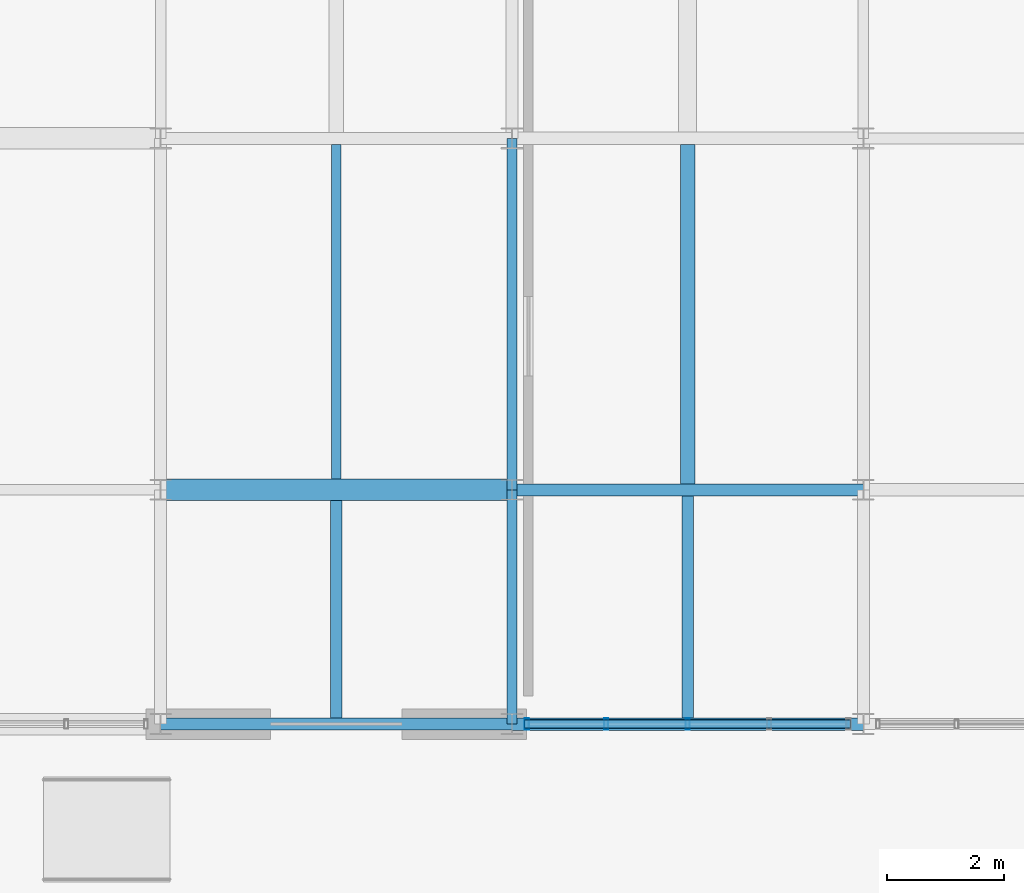
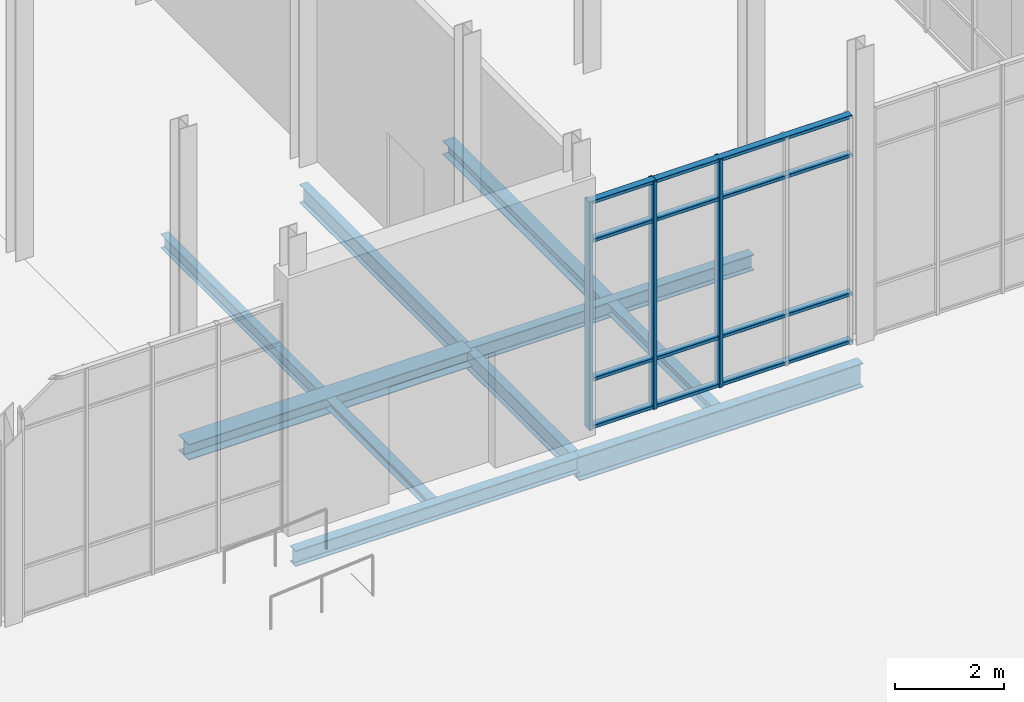
# One storey, part 75 of 140: 10 beams, 7 members, 1 element without a shape of its own.
"""IFC4 building model written with IfcOpenShell, lengths in metres."""

import ifcopenshell
import ifcopenshell.guid

model = None  # the IFC model being written
_history = None  # IfcOwnerHistory: only IFC2X3 demands one
_inside = {}  # id of a spatial element -> (the spatial element, [elements in it])
_under = {}  # id of a project, library or spatial element -> (it, [spatial elements below it])
_declared = {}  # id of a project -> (the project, [libraries it declares])
_typed = {}  # id of a type object -> (the type object, [elements of that type])
_made_of = {}  # id of a material, layer set ... -> (it, [elements and type objects made of it])


def new_model(schema):
    """Start an empty IFC model of exactly this schema.

    Asked for "IFC4X3", IfcOpenShell would pick the latest addendum, in which some entities
    have other attributes; the version numbers below select the first issue.
    IFC2X3 requires an IfcOwnerHistory on every rooted entity: one is made here for all.
    """
    global model, _history
    if schema == "IFC4X3":
        model = ifcopenshell.file(schema_version=(4, 3, 0, 0))
    else:
        model = ifcopenshell.file(schema=schema)
    _inside.clear()
    _under.clear()
    _declared.clear()
    _typed.clear()
    _made_of.clear()
    _history = None
    if model.schema == "IFC2X3":
        org = make("IfcOrganization", Name="unknown")
        user = make(
            "IfcPersonAndOrganization",
            ThePerson=make("IfcPerson", FamilyName="unknown"),
            TheOrganization=org,
        )
        app = make(
            "IfcApplication",
            ApplicationDeveloper=org,
            Version="unknown",
            ApplicationFullName="unknown",
            ApplicationIdentifier="unknown",
        )
        _history = make(
            "IfcOwnerHistory",
            OwningUser=user,
            OwningApplication=app,
            ChangeAction="ADDED",
            CreationDate=0,
        )
    return model


def make(cls, **values):
    """One entity of the class cls with the attributes given. An attribute that is None is left unset."""
    return model.create_entity(
        cls, **{name: value for name, value in values.items() if value is not None}
    )


def rooted(cls, **values):
    """An entity with a GlobalId (a new one), such as an element, a storey or a relation."""
    return make(cls, GlobalId=ifcopenshell.guid.new(), OwnerHistory=_history, **values)


def si_unit(unit_type, name, prefix=None):
    """IfcSIUnit, for example si_unit("LENGTHUNIT", "METRE", prefix="MILLI")."""
    return make("IfcSIUnit", UnitType=unit_type, Prefix=prefix, Name=name)


def assignment(units):
    """IfcUnitAssignment: the units of a project."""
    return None if units is None else make("IfcUnitAssignment", Units=units)


def point(xyz):
    """IfcCartesianPoint."""
    return None if xyz is None else make("IfcCartesianPoint", Coordinates=xyz)


def direction(xyz):
    """IfcDirection."""
    return None if xyz is None else make("IfcDirection", DirectionRatios=xyz)


def frame(location, z_axis=None, x_axis=None):
    """IfcAxis2Placement3D, a coordinate frame: its origin and axes. An axis left out is left unset."""
    return make(
        "IfcAxis2Placement3D",
        Location=point(location),
        Axis=direction(z_axis),
        RefDirection=direction(x_axis),
    )


def frame_2d(location, x_axis=None):
    """IfcAxis2Placement2D, a coordinate frame in the plane: its origin and x axis."""
    return make(
        "IfcAxis2Placement2D", Location=point(location), RefDirection=direction(x_axis)
    )


def origin():
    """The frame at (0, 0, 0) with its axes left unset."""
    return frame((0.0, 0.0, 0.0))


def origin_2d():
    """The frame at (0, 0) in the plane with its x axis left unset."""
    return frame_2d((0.0, 0.0))


def place(relative_to, where):
    """IfcLocalPlacement: puts the frame where relative to a parent placement (None: the world)."""
    return make(
        "IfcLocalPlacement", PlacementRelTo=relative_to, RelativePlacement=where
    )


def context(
    kind, dimensions, precision=None, world=None, true_north=None, identifier=None
):
    """IfcGeometricRepresentationContext, for example the 3D "Model" context."""
    return make(
        "IfcGeometricRepresentationContext",
        ContextIdentifier=identifier,
        ContextType=kind,
        CoordinateSpaceDimension=dimensions,
        Precision=precision,
        WorldCoordinateSystem=world,
        TrueNorth=true_north,
    )


def subcontext(parent, identifier, kind, view, scale=None):
    """IfcGeometricRepresentationSubContext, for example "Body" below "Model"."""
    return make(
        "IfcGeometricRepresentationSubContext",
        ContextIdentifier=identifier,
        ContextType=kind,
        ParentContext=parent,
        TargetScale=scale,
        TargetView=view,
    )


def project(units=None, contexts=None):
    """IfcProject with its units and contexts."""
    return rooted(
        "IfcProject",
        Name="project",
        RepresentationContexts=contexts,
        UnitsInContext=assignment(units),
    )


def spatial(cls, under=None, at=None, **own):
    """A site, building, storey or space (cls), placed at a placement, below another one or the project."""
    s = rooted(cls, ObjectPlacement=at, **own)
    if under is not None:
        _under.setdefault(under.id(), (under, []))[1].append(s)
    return s


def profile(cls, at=None, kind="AREA", **sizes):
    """A parametric profile (cls). Its sizes go by their IFC names, for example OverallWidth=200.0."""
    return make(cls, ProfileType=kind, Position=at, **sizes)


def hollow_rectangle(**sizes):
    """IfcRectangleHollowProfileDef."""
    return profile("IfcRectangleHollowProfileDef", **sizes)


def i_section(**sizes):
    """IfcIShapeProfileDef."""
    return profile("IfcIShapeProfileDef", **sizes)


def extrude(swept, where, along, depth):
    """IfcExtrudedAreaSolid: the profile swept, set in the frame where, extruded along a direction by depth."""
    return make(
        "IfcExtrudedAreaSolid",
        SweptArea=swept,
        Position=where,
        ExtrudedDirection=direction(along),
        Depth=depth,
    )


def shape(context_of_items, identifier, shape_type, items):
    """IfcShapeRepresentation: the items that make up one representation, for example the "Body"."""
    return make(
        "IfcShapeRepresentation",
        ContextOfItems=context_of_items,
        RepresentationIdentifier=identifier,
        RepresentationType=shape_type,
        Items=items,
    )


def material(Name=None, Category=None):
    """IfcMaterial."""
    return make("IfcMaterial", Name=Name, Category=Category)


def material_profile(
    of_material, cross_section, Name=None, Category=None, Priority=None
):
    """IfcMaterialProfile: a cross section and its material."""
    return make(
        "IfcMaterialProfile",
        Name=Name,
        Material=of_material,
        Profile=cross_section,
        Priority=Priority,
        Category=Category,
    )


def profile_set(profiles, Name=None, composite=None):
    """IfcMaterialProfileSet."""
    return make(
        "IfcMaterialProfileSet",
        Name=Name,
        MaterialProfiles=profiles,
        CompositeProfile=composite,
    )


def made_of(thing, what):
    """Note that an element or type object is made of a material, layer set ...; save() writes the relation."""
    if what is not None:
        _made_of.setdefault(what.id(), (what, []))[1].append(thing)
    return thing


def type_object(cls, material=None, **own):
    """A type object (cls), such as IfcWallType, which elements share."""
    return made_of(rooted(cls, **own), material)


def element(
    cls,
    number,
    at=None,
    inside=None,
    cuts=None,
    type_object=None,
    material=None,
    context=None,
    identifier="Body",
    shape_type=None,
    held_by="IfcProductDefinitionShape",
    body=None,
    shapes=None,
    **own,
):
    """One element of the class cls, such as IfcWall. Its Tag is "e" and its number.

    at: its placement. inside: the storey or other place that contains it. cuts: it is an
    opening in that element (IfcRelVoidsElement). A single representation is given by context,
    identifier, shape_type and body (its items); several are given by shapes. held_by: the class
    of the entity that holds the representations. save() writes the other relations.
    """
    e = rooted(cls, Tag="e%d" % number, ObjectPlacement=at, **own)
    if body is not None:
        shapes = [shape(context, identifier, shape_type, body)]
    if shapes is not None:
        e.Representation = make(held_by, Representations=shapes)
    if inside is not None:
        _inside.setdefault(inside.id(), (inside, []))[1].append(e)
    if cuts is not None:
        rooted(
            "IfcRelVoidsElement", RelatingBuildingElement=cuts, RelatedOpeningElement=e
        )
    if type_object is not None:
        _typed.setdefault(type_object.id(), (type_object, []))[1].append(e)
    return made_of(e, material)


def aggregate(whole, parts):
    """IfcRelAggregates: a whole, such as a stair, and the parts it consists of."""
    return rooted("IfcRelAggregates", RelatingObject=whole, RelatedObjects=parts)


def save(model, path):
    """Write the relations noted so far, then the file.

    IfcRelAggregates (storeys below a building ...), IfcRelContainedInSpatialStructure (elements
    in a storey), IfcRelDefinesByType, IfcRelAssociatesMaterial and IfcRelDeclares: one each for
    every whole, place, type object, material and project.
    """
    for whole, parts in _under.values():
        aggregate(whole, parts)
    for where, things in _inside.values():
        rooted(
            "IfcRelContainedInSpatialStructure",
            RelatedElements=things,
            RelatingStructure=where,
        )
    for kind, things in _typed.values():
        rooted("IfcRelDefinesByType", RelatedObjects=things, RelatingType=kind)
    for what, things in _made_of.values():
        rooted("IfcRelAssociatesMaterial", RelatedObjects=things, RelatingMaterial=what)
    for by, libraries in _declared.values():
        rooted("IfcRelDeclares", RelatingContext=by, RelatedDefinitions=libraries)
    model.write(path)


model = new_model("IFC4")

# Units and contexts
model_context = context("Model", 3, precision=1e-05, world=origin(), true_north=direction((0.0, 1.0)))
body_context = subcontext(model_context, "Body", "Model", "MODEL_VIEW")
ifc_project = project(units=[si_unit("LENGTHUNIT", "METRE"), si_unit("AREAUNIT", "SQUARE_METRE"), si_unit("VOLUMEUNIT", "CUBIC_METRE"), si_unit("PLANEANGLEUNIT", "RADIAN"), si_unit("MASSUNIT", "GRAM", prefix="KILO")], contexts=[model_context])

# Site, building, storey
site_placement = place(None, origin())
site = spatial("IfcSite", under=ifc_project, at=site_placement, CompositionType="ELEMENT")
building_placement = place(site_placement, origin())
building = spatial("IfcBuilding", under=site, at=building_placement, Name="Verrall Gate Interchange", CompositionType="ELEMENT")
storey_placement = place(building_placement, origin())
storey = spatial("IfcBuildingStorey", under=building, at=storey_placement, Name="L01", CompositionType="ELEMENT", Elevation=0.0)

# Beams
ifc_material_1 = material(Name="Structural Steel CSA G40.21 350W", Category="steel")
ifc_material_profile_1 = material_profile(ifc_material_1, i_section(OverallWidth=0.2109375, OverallDepth=0.5390625, WebThickness=0.01171875, FlangeThickness=0.018798828125, FilletRadius=0.013916015625, at=origin_2d()), Name="W530x109")
ifc_profile_set_1 = profile_set([ifc_material_profile_1], Name="Structural Steel CSA G40.21 350W")
beam_type_1 = type_object("IfcBeamType", Name="B-10 Structural Beam W530x109", PredefinedType="BEAM", material=ifc_profile_set_1)
beam_1_placement = place(storey_placement, frame((156.0, 12.0, -0.76953125), z_axis=(1.0, 0.0, 0.0), x_axis=(0.0, 1.0, 0.0)))
element("IfcBeam", 1, at=beam_1_placement, inside=storey, type_object=beam_type_1, Name="L01 Girder BM-L01-0786 (B-10)", PredefinedType="BEAM", context=body_context, shape_type="SweptSolid", body=[
    extrude(i_section(OverallWidth=0.2109375, OverallDepth=0.5390625, WebThickness=0.01171875, FlangeThickness=0.018798828125, FilletRadius=0.013916015625, at=origin_2d()), origin(), (0.0, 0.0, 1.0), 6.0),
])
ifc_material_2 = material(Name="Structural Steel CSA G40.21 350W", Category="steel")
ifc_material_profile_2 = material_profile(ifc_material_2, i_section(OverallWidth=0.178955078125, OverallDepth=0.409912109375, WebThickness=0.0087890625, FlangeThickness=0.014404296875, FilletRadius=0.011962890625, at=origin_2d()), Name="W410x67")
ifc_profile_set_2 = profile_set([ifc_material_profile_2], Name="Structural Steel CSA G40.21 350W")
beam_type_2 = type_object("IfcBeamType", Name="B-12 Structural Beam W410x67", PredefinedType="BEAM", material=ifc_profile_set_2)
beam_2_placement = place(storey_placement, frame((156.0, 12.0, -0.705078125), z_axis=(0.0, 1.0, 0.0), x_axis=(-1.0, 0.0, 0.0)))
element("IfcBeam", 2, at=beam_2_placement, inside=storey, type_object=beam_type_2, Name="L01 Girder BM-L01-1227 (B-12)", PredefinedType="BEAM", context=body_context, shape_type="SweptSolid", body=[
    extrude(i_section(OverallWidth=0.178955078125, OverallDepth=0.409912109375, WebThickness=0.0087890625, FlangeThickness=0.014404296875, FilletRadius=0.011962890625, at=origin_2d()), origin(), (0.0, 0.0, 1.0), 4.0),
])
beam_3_placement = place(storey_placement, frame((156.0, 16.0, -0.705078125), z_axis=(0.0, 1.0, 0.0), x_axis=(-1.0, 0.0, 0.0)))
element("IfcBeam", 3, at=beam_3_placement, inside=storey, type_object=beam_type_2, Name="L01 Girder BM-L01-1228 (B-12)", PredefinedType="BEAM", context=body_context, shape_type="SweptSolid", body=[
    extrude(i_section(OverallWidth=0.178955078125, OverallDepth=0.409912109375, WebThickness=0.0087890625, FlangeThickness=0.014404296875, FilletRadius=0.011962890625, at=origin_2d()), origin(), (0.0, 0.0, 1.0), 6.0),
])
ifc_material_3 = material(Name="Structural Steel CSA G40.21 350W", Category="steel")
ifc_material_profile_3 = material_profile(ifc_material_3, i_section(OverallWidth=0.368896484375, OverallDepth=0.35595703125, WebThickness=0.01123046875, FlangeThickness=0.01806640625, FilletRadius=0.014892578125, at=origin_2d()), Name="W360x134")
ifc_profile_set_3 = profile_set([ifc_material_profile_3], Name="Structural Steel CSA G40.21 350W")
beam_type_3 = type_object("IfcBeamType", Name="B-13 Structural Beam W360x134", PredefinedType="BEAM", material=ifc_profile_set_3)
beam_4_placement = place(storey_placement, frame((150.0, 16.0, -0.677978515625), z_axis=(1.0, 0.0, 0.0), x_axis=(0.0, 1.0, 0.0)))
element("IfcBeam", 4, at=beam_4_placement, inside=storey, type_object=beam_type_3, Name="L01 Girder BM-L01-0805 (B-13)", PredefinedType="BEAM", context=body_context, shape_type="SweptSolid", body=[
    extrude(i_section(OverallWidth=0.368896484375, OverallDepth=0.35595703125, WebThickness=0.01123046875, FlangeThickness=0.01806640625, FilletRadius=0.014892578125, at=origin_2d()), origin(), (0.0, 0.0, 1.0), 6.0),
])
ifc_material_4 = material(Name="Structural Steel CSA G40.21 350W", Category="steel")
ifc_material_profile_4 = material_profile(ifc_material_4, i_section(OverallWidth=0.205078125, OverallDepth=0.35400390625, WebThickness=0.009521484375, FlangeThickness=0.016845703125, FilletRadius=0.012939453125, at=origin_2d()), Name="W360x79")
ifc_profile_set_4 = profile_set([ifc_material_profile_4], Name="Structural Steel CSA G40.21 350W")
beam_type_4 = type_object("IfcBeamType", Name="B-14 Structural Beam W360x79", PredefinedType="BEAM", material=ifc_profile_set_4)
for number, where, z_axis, x_axis, name in (
    (5, (150.0, 12.0, -0.677001953125), (1.0, 0.0, 0.0), (0.0, 1.0, 0.0), "L01 Girder BM-L01-0785 (B-14)"),
    (6, (156.0, 16.0, -0.677001953125), (1.0, 0.0, 0.0), (0.0, 1.0, 0.0), "L01 Girder BM-L01-0806 (B-14)"),
):
    element("IfcBeam", number, at=place(storey_placement, frame(where, z_axis=z_axis, x_axis=x_axis)), inside=storey, type_object=beam_type_4, Name=name, PredefinedType="BEAM", context=body_context, shape_type="SweptSolid", body=[
        extrude(i_section(OverallWidth=0.205078125, OverallDepth=0.35400390625, WebThickness=0.009521484375, FlangeThickness=0.016845703125, FilletRadius=0.012939453125, at=origin_2d()), origin(), (0.0, 0.0, 1.0), 6.0),
    ])

# Curtain wall, members
ifc_material_5 = material(Name="Thermally Broken Anodized Aluminium Curtain Wall Framing", Category="aluminium")
curtain_wall_type = type_object("IfcCurtainWallType", Name="CW-04 Unitized Curtain Wall 5631x5100", PredefinedType="NOTDEFINED", material=ifc_material_5)
curtain_wall_placement = place(storey_placement, origin())
curtain_wall = element("IfcCurtainWall", 7, at=curtain_wall_placement, inside=storey, type_object=curtain_wall_type, Name="L01 Unitized Curtain Wall CW-L01-039", PredefinedType="NOTDEFINED")
ifc_material_6 = material(Name="Thermally Broken Anodized Aluminium Curtain Wall Framing", Category="aluminium")
ifc_material_profile_5 = material_profile(ifc_material_6, hollow_rectangle(XDim=0.074951171875, YDim=0.199951171875, WallThickness=0.0048828125, InnerFilletRadius=0.0048828125, OuterFilletRadius=0.010009765625, at=origin_2d()), Name="CWM200x75x5")
ifc_profile_set_5 = profile_set([ifc_material_profile_5], Name="Thermally Broken Anodized Aluminium Curtain Wall Framing")
member_type_1 = type_object("IfcMemberType", Name="CM-02 Curtain Mullion CWM200x75x5", PredefinedType="MULLION", material=ifc_profile_set_5)
member_1_placement = place(storey_placement, frame((156.25390625, 12.0, 0.0), z_axis=(0.0, 0.0, 1.0), x_axis=(1.0, 0.0, 0.0)))
member_1 = element("IfcMember", 8, at=member_1_placement, type_object=member_type_1, Name="CW-L01-039 Mullion 1", PredefinedType="MULLION", context=body_context, shape_type="SweptSolid", body=[
    extrude(hollow_rectangle(XDim=0.074951171875, YDim=0.199951171875, WallThickness=0.0048828125, InnerFilletRadius=0.0048828125, OuterFilletRadius=0.010009765625, at=origin_2d()), origin(), (0.0, 0.0, 1.0), 5.10009765625),
])
member_2_placement = place(storey_placement, frame((157.6083984375, 12.0, 0.0), z_axis=(0.0, 0.0, 1.0), x_axis=(1.0, 0.0, 0.0)))
member_2 = element("IfcMember", 9, at=member_2_placement, type_object=member_type_1, Name="CW-L01-039 Mullion 2", PredefinedType="MULLION", context=body_context, shape_type="SweptSolid", body=[
    extrude(hollow_rectangle(XDim=0.074951171875, YDim=0.199951171875, WallThickness=0.0048828125, InnerFilletRadius=0.0048828125, OuterFilletRadius=0.010009765625, at=origin_2d()), origin(), (0.0, 0.0, 1.0), 5.10009765625),
])
member_3_placement = place(storey_placement, frame((159.0, 12.0, 0.0), z_axis=(0.0, 0.0, 1.0), x_axis=(1.0, 0.0, 0.0)))
member_3 = element("IfcMember", 10, at=member_3_placement, type_object=member_type_1, Name="CW-L01-039 Mullion 3", PredefinedType="MULLION", context=body_context, shape_type="SweptSolid", body=[
    extrude(hollow_rectangle(XDim=0.074951171875, YDim=0.199951171875, WallThickness=0.0048828125, InnerFilletRadius=0.0048828125, OuterFilletRadius=0.010009765625, at=origin_2d()), origin(), (0.0, 0.0, 1.0), 5.10009765625),
])
ifc_material_7 = material(Name="Thermally Broken Anodized Aluminium Curtain Wall Framing", Category="aluminium")
ifc_material_profile_6 = material_profile(ifc_material_7, hollow_rectangle(XDim=0.14990234375, YDim=0.074951171875, WallThickness=0.00439453125, InnerFilletRadius=0.00439453125, OuterFilletRadius=0.009033203125, at=origin_2d()), Name="CWT150x75x4.5")
ifc_profile_set_6 = profile_set([ifc_material_profile_6], Name="Thermally Broken Anodized Aluminium Curtain Wall Framing")
member_type_2 = type_object("IfcMemberType", Name="CT-02 Curtain Transom CWT150x75x4.5", PredefinedType="USERDEFINED", material=ifc_profile_set_6)
member_4_placement = place(storey_placement, frame((156.216552734375, 12.0, 0.03759765625), z_axis=(1.0, 0.0, 0.0), x_axis=(0.0, 1.0, 0.0)))
member_4 = element("IfcMember", 11, at=member_4_placement, type_object=member_type_2, Name="CW-L01-039 Transom 1", ObjectType="TRANSOM", PredefinedType="USERDEFINED", context=body_context, shape_type="SweptSolid", body=[
    extrude(hollow_rectangle(XDim=0.14990234375, YDim=0.074951171875, WallThickness=0.00439453125, InnerFilletRadius=0.00439453125, OuterFilletRadius=0.009033203125, at=origin_2d()), origin(), (0.0, 0.0, 1.0), 5.56689453125),
])
member_5_placement = place(storey_placement, frame((156.216552734375, 12.0, 1.10009765625), z_axis=(1.0, 0.0, 0.0), x_axis=(0.0, 1.0, 0.0)))
member_5 = element("IfcMember", 12, at=member_5_placement, type_object=member_type_2, Name="CW-L01-039 Transom 2", ObjectType="TRANSOM", PredefinedType="USERDEFINED", context=body_context, shape_type="SweptSolid", body=[
    extrude(hollow_rectangle(XDim=0.14990234375, YDim=0.074951171875, WallThickness=0.00439453125, InnerFilletRadius=0.00439453125, OuterFilletRadius=0.009033203125, at=origin_2d()), origin(), (0.0, 0.0, 1.0), 5.56689453125),
])
member_6_placement = place(storey_placement, frame((156.216552734375, 12.0, 4.199951171875), z_axis=(1.0, 0.0, 0.0), x_axis=(0.0, 1.0, 0.0)))
member_6 = element("IfcMember", 13, at=member_6_placement, type_object=member_type_2, Name="CW-L01-039 Transom 3", ObjectType="TRANSOM", PredefinedType="USERDEFINED", context=body_context, shape_type="SweptSolid", body=[
    extrude(hollow_rectangle(XDim=0.14990234375, YDim=0.074951171875, WallThickness=0.00439453125, InnerFilletRadius=0.00439453125, OuterFilletRadius=0.009033203125, at=origin_2d()), origin(), (0.0, 0.0, 1.0), 5.56689453125),
])
member_7_placement = place(storey_placement, frame((156.216552734375, 12.0, 5.0625), z_axis=(1.0, 0.0, 0.0), x_axis=(0.0, 1.0, 0.0)))
member_7 = element("IfcMember", 14, at=member_7_placement, type_object=member_type_2, Name="CW-L01-039 Transom 4", ObjectType="TRANSOM", PredefinedType="USERDEFINED", context=body_context, shape_type="SweptSolid", body=[
    extrude(hollow_rectangle(XDim=0.14990234375, YDim=0.074951171875, WallThickness=0.00439453125, InnerFilletRadius=0.00439453125, OuterFilletRadius=0.009033203125, at=origin_2d()), origin(), (0.0, 0.0, 1.0), 5.56689453125),
])
aggregate(curtain_wall, [member_1, member_2, member_3, member_4, member_5, member_6, member_7])

# Beams
ifc_material_8 = material(Name="Structural Steel CSA G40.21 350W", Category="steel")
ifc_material_profile_7 = material_profile(ifc_material_8, i_section(OverallWidth=0.25390625, OverallDepth=0.305908203125, WebThickness=0.0087890625, FlangeThickness=0.0146484375, FilletRadius=0.012939453125, at=origin_2d()), Name="W310x79")
ifc_profile_set_7 = profile_set([ifc_material_profile_7], Name="Structural Steel CSA G40.21 350W")
beam_type_5 = type_object("IfcBeamType", Name="J-03 Floor Joist W310x79", PredefinedType="JOIST", material=ifc_profile_set_7)
beam_5_placement = place(storey_placement, frame((159.0, 16.1025390625, -0.653076171875), z_axis=(0.0, 1.0, 0.0), x_axis=(-1.0, 0.0, 0.0)))
element("IfcBeam", 15, at=beam_5_placement, inside=storey, type_object=beam_type_5, Name="L01 Secondary Floor Joist JST-L01-1309", PredefinedType="JOIST", context=body_context, shape_type="SweptSolid", body=[
    extrude(i_section(OverallWidth=0.25390625, OverallDepth=0.305908203125, WebThickness=0.0087890625, FlangeThickness=0.0146484375, FilletRadius=0.012939453125, at=origin_2d()), origin(), (0.0, 0.0, 1.0), 5.7919921875),
])
ifc_material_9 = material(Name="Structural Steel CSA G40.21 350W", Category="steel")
ifc_material_profile_8 = material_profile(ifc_material_9, i_section(OverallWidth=0.1650390625, OverallDepth=0.31005859375, WebThickness=0.005859375, FlangeThickness=0.009765625, FilletRadius=0.010009765625, at=origin_2d()), Name="W310x39")
ifc_profile_set_8 = profile_set([ifc_material_profile_8], Name="Structural Steel CSA G40.21 350W")
beam_type_6 = type_object("IfcBeamType", Name="J-04 Floor Joist W310x39", PredefinedType="JOIST", material=ifc_profile_set_8)
beam_6_placement = place(storey_placement, frame((153.0, 16.1845703125, -0.655029296875), z_axis=(0.0, 1.0, 0.0), x_axis=(-1.0, 0.0, 0.0)))
element("IfcBeam", 16, at=beam_6_placement, inside=storey, type_object=beam_type_6, Name="L01 Secondary Floor Joist JST-L01-1308", PredefinedType="JOIST", context=body_context, shape_type="SweptSolid", body=[
    extrude(i_section(OverallWidth=0.1650390625, OverallDepth=0.31005859375, WebThickness=0.005859375, FlangeThickness=0.009765625, FilletRadius=0.010009765625, at=origin_2d()), origin(), (0.0, 0.0, 1.0), 5.712890625),
])
ifc_material_10 = material(Name="Structural Steel CSA G40.21 350W", Category="steel")
ifc_material_profile_9 = material_profile(ifc_material_10, i_section(OverallWidth=0.201904296875, OverallDepth=0.2470703125, WebThickness=0.00732421875, FlangeThickness=0.010986328125, FilletRadius=0.010986328125, at=origin_2d()), Name="W250x49")
ifc_profile_set_9 = profile_set([ifc_material_profile_9], Name="Structural Steel CSA G40.21 350W")
beam_type_7 = type_object("IfcBeamType", Name="J-06 Floor Joist W250x49", PredefinedType="JOIST", material=ifc_profile_set_9)
beam_7_placement = place(storey_placement, frame((159.0, 12.10546875, -0.62353515625), z_axis=(0.0, 1.0, 0.0), x_axis=(-1.0, 0.0, 0.0)))
element("IfcBeam", 17, at=beam_7_placement, inside=storey, type_object=beam_type_7, Name="L01 Secondary Floor Joist JST-L01-1297", PredefinedType="JOIST", context=body_context, shape_type="SweptSolid", body=[
    extrude(i_section(OverallWidth=0.201904296875, OverallDepth=0.2470703125, WebThickness=0.00732421875, FlangeThickness=0.010986328125, FilletRadius=0.010986328125, at=origin_2d()), origin(), (0.0, 0.0, 1.0), 3.7919921875),
])
ifc_material_11 = material(Name="Structural Steel CSA G40.21 350W", Category="steel")
ifc_material_profile_10 = material_profile(ifc_material_11, i_section(OverallWidth=0.202880859375, OverallDepth=0.202880859375, WebThickness=0.007080078125, FlangeThickness=0.010986328125, FilletRadius=0.010009765625, at=origin_2d()), Name="W200x46")
ifc_profile_set_10 = profile_set([ifc_material_profile_10], Name="Structural Steel CSA G40.21 350W")
beam_type_8 = type_object("IfcBeamType", Name="J-07 Floor Joist W200x46", PredefinedType="JOIST", material=ifc_profile_set_10)
beam_8_placement = place(storey_placement, frame((153.0, 12.1025390625, -0.6015625), z_axis=(0.0, 1.0, 0.0), x_axis=(-1.0, 0.0, 0.0)))
element("IfcBeam", 18, at=beam_8_placement, inside=storey, type_object=beam_type_8, Name="L01 Secondary Floor Joist JST-L01-1296", PredefinedType="JOIST", context=body_context, shape_type="SweptSolid", body=[
    extrude(i_section(OverallWidth=0.202880859375, OverallDepth=0.202880859375, WebThickness=0.007080078125, FlangeThickness=0.010986328125, FilletRadius=0.010009765625, at=origin_2d()), origin(), (0.0, 0.0, 1.0), 3.712890625),
])

save(model, "model.ifc")
